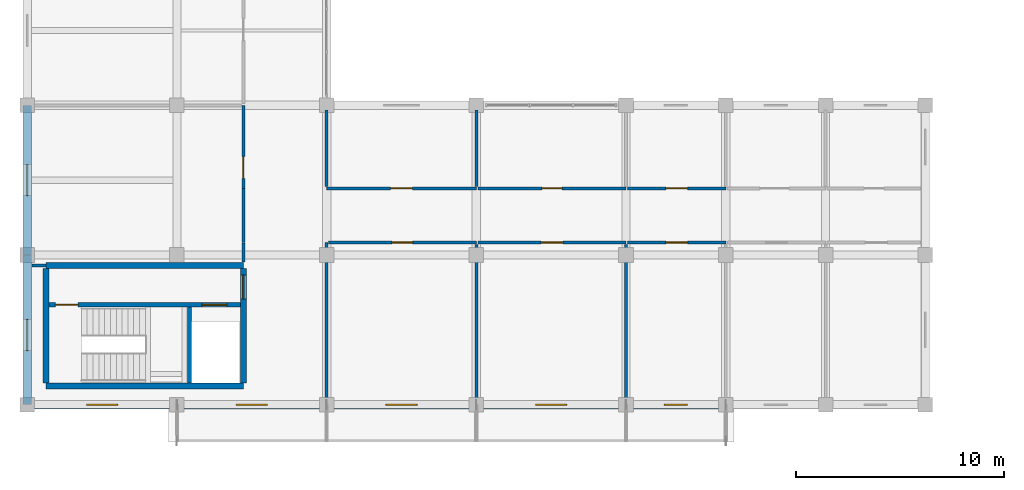
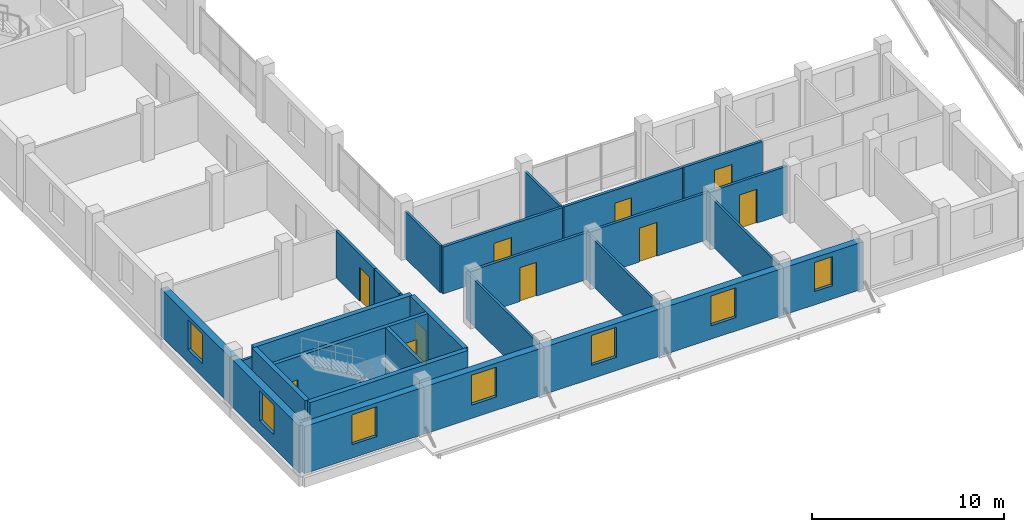
# One storey, part 106 of 128: 28 walls, 10 doors, 7 windows, 17 openings.
"""IFC4 building model written with IfcOpenShell, lengths in metres."""

from ifc_helpers import new_model, si_unit, direction, frame, frame_2d, origin, origin_with_axes, place, context, subcontext, project, spatial, rectangle, extrude, material, layer, layer_set, type_object, element, fill, save


model = new_model("IFC4")

# Units and contexts
model_context = context("Model", 3, precision=1e-05, world=origin(), true_north=direction((0.0, 1.0)))
body_context = subcontext(model_context, "Body", "Model", "MODEL_VIEW")
ifc_project = project(units=[si_unit("LENGTHUNIT", "METRE"), si_unit("AREAUNIT", "SQUARE_METRE"), si_unit("VOLUMEUNIT", "CUBIC_METRE"), si_unit("PLANEANGLEUNIT", "RADIAN"), si_unit("MASSUNIT", "GRAM", prefix="KILO")], contexts=[model_context])

# Site, building, storey
site_placement = place(None, origin())
site = spatial("IfcSite", under=ifc_project, at=site_placement, CompositionType="ELEMENT")
building_placement = place(site_placement, origin())
building = spatial("IfcBuilding", under=site, at=building_placement, Name="Zornivar Specialist Clinic", CompositionType="ELEMENT")
storey_placement = place(building_placement, frame((0.0, 0.0, 4.5)))
storey = spatial("IfcBuildingStorey", under=building, at=storey_placement, Name="L01", CompositionType="ELEMENT", Elevation=4.5)

# Wall, opening, window
ifc_material_1 = material(Name="Masonry Vratsa Limestone Ashlar Cavity Wall", Category="masonry")
ifc_layer_1 = layer(ifc_material_1, 0.419921875)
ifc_layer_set_1 = layer_set([ifc_layer_1], Name="Masonry Vratsa Limestone Ashlar Cavity Wall")
wall_type_1 = type_object("IfcWallType", Name="EW-LIMESTONE-420", PredefinedType="SOLIDWALL", material=ifc_layer_set_1)
wall_1_placement = place(storey_placement, origin_with_axes())
wall_1 = element("IfcWall", 1, at=wall_1_placement, inside=storey, type_object=wall_type_1, Name="ew:V2:L01:00", PredefinedType="SOLIDWALL", context=body_context, shape_type="SweptSolid", body=[
    extrude(rectangle(XDim=7.199951171875, YDim=0.419921875, at=frame_2d((3.60009765625, 0.0))), origin(), (0.0, 0.0, 1.0), 3.0),
])
opening_1_placement = place(wall_1_placement, frame((2.85009765625, 0.0, 0.85009765625)))
opening_1 = element("IfcOpeningElement", 2, at=opening_1_placement, cuts=wall_1, Name="Opening W-05", PredefinedType="OPENING", context=body_context, shape_type="SweptSolid", body=[
    extrude(rectangle(XDim=1.5, YDim=1.89990234375, at=frame_2d((0.75, 0.949951171875))), frame((0.0, 0.219970703125, 0.0), z_axis=(0.0, -1.0, 0.0), x_axis=(1.0, 0.0, 0.0)), (0.0, 0.0, 1.0), 0.43994140625),
])
ifc_material_2 = material(Name="Triple-Glazed Aluminium-Timber Window Glass", Category="wood")
window_type_1 = type_object("IfcWindowType", Name="WIN-OUTP-STREET-1500x1900", PartitioningType="SINGLE_PANEL", PredefinedType="WINDOW", material=ifc_material_2)
window_1_placement = place(opening_1_placement, origin())
window_1 = element("IfcWindow", 3, at=window_1_placement, inside=storey, type_object=window_type_1, Name="win:V2:L01:00", OverallHeight=1.89990234375, OverallWidth=1.5, PartitioningType="SINGLE_PANEL", PredefinedType="WINDOW", context=body_context, shape_type="SweptSolid", body=[
    extrude(rectangle(XDim=1.5, YDim=1.89990234375, at=frame_2d((0.75, 0.949951171875))), frame((0.0, 0.030029296875, 0.0), z_axis=(0.0, -1.0, 0.0), x_axis=(1.0, 0.0, 0.0)), (0.0, 0.0, 1.0), 0.06005859375),
])
fill(opening_1, window_1)

wall_2_placement = place(storey_placement, frame((7.199951171875, 0.0, 0.0), z_axis=(0.0, 0.0, 1.0), x_axis=(1.0, 0.0, 0.0)))
wall_2 = element("IfcWall", 4, at=wall_2_placement, inside=storey, type_object=wall_type_1, Name="ew:V2:L01:01", PredefinedType="SOLIDWALL", context=body_context, shape_type="SweptSolid", body=[
    extrude(rectangle(XDim=7.199951171875, YDim=0.419921875, at=frame_2d((3.60009765625, 0.0))), origin(), (0.0, 0.0, 1.0), 3.0),
])
opening_2_placement = place(wall_2_placement, frame((2.85009765625, 0.0, 0.85009765625)))
opening_2 = element("IfcOpeningElement", 5, at=opening_2_placement, cuts=wall_2, Name="Opening W-05", PredefinedType="OPENING", context=body_context, shape_type="SweptSolid", body=[
    extrude(rectangle(XDim=1.5, YDim=1.89990234375, at=frame_2d((0.75, 0.949951171875))), frame((0.0, 0.219970703125, 0.0), z_axis=(0.0, -1.0, 0.0), x_axis=(1.0, 0.0, 0.0)), (0.0, 0.0, 1.0), 0.43994140625),
])
window_2_placement = place(opening_2_placement, origin())
window_2 = element("IfcWindow", 6, at=window_2_placement, inside=storey, type_object=window_type_1, Name="win:V2:L01:01", OverallHeight=1.89990234375, OverallWidth=1.5, PartitioningType="SINGLE_PANEL", PredefinedType="WINDOW", context=body_context, shape_type="SweptSolid", body=[
    extrude(rectangle(XDim=1.5, YDim=1.89990234375, at=frame_2d((0.75, 0.949951171875))), frame((0.0, 0.030029296875, 0.0), z_axis=(0.0, -1.0, 0.0), x_axis=(1.0, 0.0, 0.0)), (0.0, 0.0, 1.0), 0.06005859375),
])
fill(opening_2, window_2)

wall_3_placement = place(storey_placement, frame((14.39990234375, 0.0, 0.0), z_axis=(0.0, 0.0, 1.0), x_axis=(1.0, 0.0, 0.0)))
wall_3 = element("IfcWall", 7, at=wall_3_placement, inside=storey, type_object=wall_type_1, Name="ew:V2:L01:02", PredefinedType="SOLIDWALL", context=body_context, shape_type="SweptSolid", body=[
    extrude(rectangle(XDim=7.2001953125, YDim=0.419921875, at=frame_2d((3.60009765625, 0.0))), origin(), (0.0, 0.0, 1.0), 3.0),
])
opening_3_placement = place(wall_3_placement, frame((2.85009765625, 0.0, 0.85009765625)))
opening_3 = element("IfcOpeningElement", 8, at=opening_3_placement, cuts=wall_3, Name="Opening W-05", PredefinedType="OPENING", context=body_context, shape_type="SweptSolid", body=[
    extrude(rectangle(XDim=1.5, YDim=1.89990234375, at=frame_2d((0.75, 0.949951171875))), frame((0.0, 0.219970703125, 0.0), z_axis=(0.0, -1.0, 0.0), x_axis=(1.0, 0.0, 0.0)), (0.0, 0.0, 1.0), 0.43994140625),
])
window_3_placement = place(opening_3_placement, origin())
window_3 = element("IfcWindow", 9, at=window_3_placement, inside=storey, type_object=window_type_1, Name="win:V2:L01:02", OverallHeight=1.89990234375, OverallWidth=1.5, PartitioningType="SINGLE_PANEL", PredefinedType="WINDOW", context=body_context, shape_type="SweptSolid", body=[
    extrude(rectangle(XDim=1.5, YDim=1.89990234375, at=frame_2d((0.75, 0.949951171875))), frame((0.0, 0.030029296875, 0.0), z_axis=(0.0, -1.0, 0.0), x_axis=(1.0, 0.0, 0.0)), (0.0, 0.0, 1.0), 0.06005859375),
])
fill(opening_3, window_3)

wall_4_placement = place(storey_placement, frame((21.60009765625, 0.0, 0.0), z_axis=(0.0, 0.0, 1.0), x_axis=(1.0, 0.0, 0.0)))
wall_4 = element("IfcWall", 10, at=wall_4_placement, inside=storey, type_object=wall_type_1, Name="ew:V2:L01:03", PredefinedType="SOLIDWALL", context=body_context, shape_type="SweptSolid", body=[
    extrude(rectangle(XDim=7.199951171875, YDim=0.419921875, at=frame_2d((3.60009765625, 0.0))), origin(), (0.0, 0.0, 1.0), 3.0),
])
opening_4_placement = place(wall_4_placement, frame((2.85009765625, 0.0, 0.85009765625)))
opening_4 = element("IfcOpeningElement", 11, at=opening_4_placement, cuts=wall_4, Name="Opening W-05", PredefinedType="OPENING", context=body_context, shape_type="SweptSolid", body=[
    extrude(rectangle(XDim=1.5, YDim=1.89990234375, at=frame_2d((0.75, 0.949951171875))), frame((0.0, 0.219970703125, 0.0), z_axis=(0.0, -1.0, 0.0), x_axis=(1.0, 0.0, 0.0)), (0.0, 0.0, 1.0), 0.43994140625),
])
window_4_placement = place(opening_4_placement, origin())
window_4 = element("IfcWindow", 12, at=window_4_placement, inside=storey, type_object=window_type_1, Name="win:V2:L01:03", OverallHeight=1.89990234375, OverallWidth=1.5, PartitioningType="SINGLE_PANEL", PredefinedType="WINDOW", context=body_context, shape_type="SweptSolid", body=[
    extrude(rectangle(XDim=1.5, YDim=1.89990234375, at=frame_2d((0.75, 0.949951171875))), frame((0.0, 0.030029296875, 0.0), z_axis=(0.0, -1.0, 0.0), x_axis=(1.0, 0.0, 0.0)), (0.0, 0.0, 1.0), 0.06005859375),
])
fill(opening_4, window_4)

wall_5_placement = place(storey_placement, frame((28.800048828125, 0.0, 0.0), z_axis=(0.0, 0.0, 1.0), x_axis=(1.0, 0.0, 0.0)))
wall_5 = element("IfcWall", 13, at=wall_5_placement, inside=storey, type_object=wall_type_1, Name="ew:V2:L01:04", PredefinedType="SOLIDWALL", context=body_context, shape_type="SweptSolid", body=[
    extrude(rectangle(XDim=4.800048828125, YDim=0.419921875, at=frame_2d((2.39990234375, 0.0))), origin(), (0.0, 0.0, 1.0), 3.0),
])
opening_5_placement = place(wall_5_placement, frame((1.85009765625, 0.0, 0.85009765625)))
opening_5 = element("IfcOpeningElement", 14, at=opening_5_placement, cuts=wall_5, Name="Opening W-07", PredefinedType="OPENING", context=body_context, shape_type="SweptSolid", body=[
    extrude(rectangle(XDim=1.10009765625, YDim=1.85009765625, at=frame_2d((0.550048828125, 0.925048828125))), frame((0.0, 0.219970703125, 0.0), z_axis=(0.0, -1.0, 0.0), x_axis=(1.0, 0.0, 0.0)), (0.0, 0.0, 1.0), 0.43994140625),
])
ifc_material_3 = material(Name="Triple-Glazed Aluminium-Timber Window Glass", Category="wood")
window_type_2 = type_object("IfcWindowType", Name="WIN-OUTP-PIER-1100x1850", PartitioningType="SINGLE_PANEL", PredefinedType="WINDOW", material=ifc_material_3)
window_5_placement = place(opening_5_placement, origin())
window_5 = element("IfcWindow", 15, at=window_5_placement, inside=storey, type_object=window_type_2, Name="win:V2:L01:04", OverallHeight=1.85009765625, OverallWidth=1.10009765625, PartitioningType="SINGLE_PANEL", PredefinedType="WINDOW", context=body_context, shape_type="SweptSolid", body=[
    extrude(rectangle(XDim=1.10009765625, YDim=1.85009765625, at=frame_2d((0.550048828125, 0.925048828125))), frame((0.0, 0.030029296875, 0.0), z_axis=(0.0, -1.0, 0.0), x_axis=(1.0, 0.0, 0.0)), (0.0, 0.0, 1.0), 0.06005859375),
])
fill(opening_5, window_5)

wall_6_placement = place(storey_placement, frame((0.0, 14.39990234375, 0.0), z_axis=(0.0, 0.0, 1.0), x_axis=(0.0, -1.0, 0.0)))
wall_6 = element("IfcWall", 16, at=wall_6_placement, inside=storey, type_object=wall_type_1, Name="ew:V2:L01:30", PredefinedType="SOLIDWALL", context=body_context, shape_type="SweptSolid", body=[
    extrude(rectangle(XDim=7.199951171875, YDim=0.419921875, at=frame_2d((3.60009765625, 0.0))), origin(), (0.0, 0.0, 1.0), 3.0),
])
opening_6_placement = place(wall_6_placement, frame((2.85009765625, 0.0, 0.85009765625)))
opening_6 = element("IfcOpeningElement", 17, at=opening_6_placement, cuts=wall_6, Name="Opening W-05", PredefinedType="OPENING", context=body_context, shape_type="SweptSolid", body=[
    extrude(rectangle(XDim=1.5, YDim=1.89990234375, at=frame_2d((0.75, 0.949951171875))), frame((0.0, 0.219970703125, 0.0), z_axis=(0.0, -1.0, 0.0), x_axis=(1.0, 0.0, 0.0)), (0.0, 0.0, 1.0), 0.43994140625),
])
window_6_placement = place(opening_6_placement, origin())
window_6 = element("IfcWindow", 18, at=window_6_placement, inside=storey, type_object=window_type_1, Name="win:V2:L01:30", OverallHeight=1.89990234375, OverallWidth=1.5, PartitioningType="SINGLE_PANEL", PredefinedType="WINDOW", context=body_context, shape_type="SweptSolid", body=[
    extrude(rectangle(XDim=1.5, YDim=1.89990234375, at=frame_2d((0.75, 0.949951171875))), frame((0.0, 0.030029296875, 0.0), z_axis=(0.0, -1.0, 0.0), x_axis=(1.0, 0.0, 0.0)), (0.0, 0.0, 1.0), 0.06005859375),
])
fill(opening_6, window_6)

wall_7_placement = place(storey_placement, frame((0.0, 7.199951171875, 0.0), z_axis=(0.0, 0.0, 1.0), x_axis=(0.0, -1.0, 0.0)))
wall_7 = element("IfcWall", 19, at=wall_7_placement, inside=storey, type_object=wall_type_1, Name="ew:V2:L01:31", PredefinedType="SOLIDWALL", context=body_context, shape_type="SweptSolid", body=[
    extrude(rectangle(XDim=7.199951171875, YDim=0.419921875, at=frame_2d((3.60009765625, 0.0))), origin(), (0.0, 0.0, 1.0), 3.0),
])
opening_7_placement = place(wall_7_placement, frame((3.10009765625, 0.0, 0.85009765625)))
opening_7 = element("IfcOpeningElement", 20, at=opening_7_placement, cuts=wall_7, Name="Opening W-05", PredefinedType="OPENING", context=body_context, shape_type="SweptSolid", body=[
    extrude(rectangle(XDim=1.5, YDim=1.89990234375, at=frame_2d((0.75, 0.949951171875))), frame((0.0, 0.219970703125, 0.0), z_axis=(0.0, -1.0, 0.0), x_axis=(1.0, 0.0, 0.0)), (0.0, 0.0, 1.0), 0.43994140625),
])
window_7_placement = place(opening_7_placement, origin())
window_7 = element("IfcWindow", 21, at=window_7_placement, inside=storey, type_object=window_type_1, Name="win:V2:L01:31", OverallHeight=1.89990234375, OverallWidth=1.5, PartitioningType="SINGLE_PANEL", PredefinedType="WINDOW", context=body_context, shape_type="SweptSolid", body=[
    extrude(rectangle(XDim=1.5, YDim=1.89990234375, at=frame_2d((0.75, 0.949951171875))), frame((0.0, 0.030029296875, 0.0), z_axis=(0.0, -1.0, 0.0), x_axis=(1.0, 0.0, 0.0)), (0.0, 0.0, 1.0), 0.06005859375),
])
fill(opening_7, window_7)

# Walls
ifc_material_4 = material(Name="Acoustic Clinical Stud Partition")
ifc_layer_2 = layer(ifc_material_4, 0.139892578125)
ifc_layer_set_2 = layer_set([ifc_layer_2], Name="Acoustic Clinical Stud Partition")
wall_type_2 = type_object("IfcWallType", Name="IW-CLIN-140", PredefinedType="PARTITIONING", material=ifc_layer_set_2)
wall_8_placement = place(storey_placement, frame((0.89990234375, 6.699951171875, 0.0), z_axis=(0.0, 0.0, 1.0), x_axis=(-1.0, 0.0, 0.0)))
element("IfcWall", 22, at=wall_8_placement, inside=storey, type_object=wall_type_2, Name="iw:L01:052", PredefinedType="PARTITIONING", context=body_context, shape_type="SweptSolid", body=[
    extrude(rectangle(XDim=0.6748046875, YDim=0.139892578125, at=frame_2d((0.33740234375, 0.0))), origin(), (0.0, 0.0, 1.0), 2.97998046875),
])
wall_9_placement = place(storey_placement, frame((14.39990234375, 0.22509765625, 0.0), z_axis=(0.0, 0.0, 1.0), x_axis=(0.0, 1.0, 0.0)))
element("IfcWall", 23, at=wall_9_placement, inside=storey, type_object=wall_type_2, Name="iw:L01:071", PredefinedType="PARTITIONING", context=body_context, shape_type="SweptSolid", body=[
    extrude(rectangle(XDim=7.574951171875, YDim=0.139892578125, at=frame_2d((3.78759765625, 0.0))), origin(), (0.0, 0.0, 1.0), 2.97998046875),
])
wall_10_placement = place(storey_placement, frame((21.60009765625, 7.7060546875, 0.0), z_axis=(0.0, 0.0, 1.0), x_axis=(0.0, -1.0, 0.0)))
element("IfcWall", 24, at=wall_10_placement, inside=storey, type_object=wall_type_2, Name="iw:L01:073", PredefinedType="PARTITIONING", context=body_context, shape_type="SweptSolid", body=[
    extrude(rectangle(XDim=7.48095703125, YDim=0.139892578125, at=frame_2d((3.740478515625, 0.0))), origin(), (0.0, 0.0, 1.0), 2.97998046875),
])
for number, where, z_axis, x_axis, name in (
    (25, (14.39990234375, 10.493896484375, 0.0), (0.0, 0.0, 1.0), (0.0, 1.0, 0.0), "iw:L01:075"),
    (26, (21.60009765625, 14.175048828125, 0.0), (0.0, 0.0, 1.0), (0.0, -1.0, 0.0), "iw:L01:076"),
):
    element("IfcWall", number, at=place(storey_placement, frame(where, z_axis=z_axis, x_axis=x_axis)), inside=storey, type_object=wall_type_2, Name=name, PredefinedType="PARTITIONING", context=body_context, shape_type="SweptSolid", body=[
        extrude(rectangle(XDim=3.68115234375, YDim=0.139892578125, at=frame_2d((1.840576171875, 0.0))), origin(), (0.0, 0.0, 1.0), 2.97998046875),
    ])
wall_11_placement = place(storey_placement, frame((28.800048828125, 7.7060546875, 0.0), z_axis=(0.0, 0.0, 1.0), x_axis=(0.0, -1.0, 0.0)))
element("IfcWall", 27, at=wall_11_placement, inside=storey, type_object=wall_type_2, Name="iw:L01:078", PredefinedType="PARTITIONING", context=body_context, shape_type="SweptSolid", body=[
    extrude(rectangle(XDim=7.48095703125, YDim=0.139892578125, at=frame_2d((3.740478515625, 0.0))), origin(), (0.0, 0.0, 1.0), 2.97998046875),
])

# Wall, opening, door
ifc_material_5 = material(Name="Gypsum Fire-Rated Double Stud Partition")
ifc_layer_3 = layer(ifc_material_5, 0.159912109375)
ifc_layer_set_3 = layer_set([ifc_layer_3], Name="Gypsum Fire-Rated Double Stud Partition")
wall_type_3 = type_object("IfcWallType", Name="IW-CORR-EI60-160", PredefinedType="PARTITIONING", material=ifc_layer_set_3)
wall_12_placement = place(storey_placement, frame((10.39990234375, 14.39990234375, 0.0), z_axis=(0.0, 0.0, 1.0), x_axis=(0.0, -1.0, 0.0)))
wall_12 = element("IfcWall", 28, at=wall_12_placement, inside=storey, type_object=wall_type_3, Name="iw:L01:049", PredefinedType="PARTITIONING", context=body_context, shape_type="SweptSolid", body=[
    extrude(rectangle(XDim=4.0, YDim=0.159912109375, at=frame_2d((2.0, 0.0))), origin(), (0.0, 0.0, 1.0), 2.97998046875),
])
opening_8_placement = place(wall_12_placement, frame((2.469970703125, 0.0, 0.0)))
opening_8 = element("IfcOpeningElement", 29, at=opening_8_placement, cuts=wall_12, Name="Opening ID-03", PredefinedType="OPENING", context=body_context, shape_type="SweptSolid", body=[
    extrude(rectangle(XDim=1.050048828125, YDim=2.14990234375, at=frame_2d((0.52490234375, 1.074951171875))), frame((0.0, 0.08984375, 0.0), z_axis=(0.0, -1.0, 0.0), x_axis=(1.0, 0.0, 0.0)), (0.0, 0.0, 1.0), 0.179931640625),
])
ifc_material_6 = material(Name="Solid-Core Hygienic Laminate Timber Door", Category="wood")
door_type_1 = type_object("IfcDoorType", Name="ID-CONS-1050x2150", OperationType="NOTDEFINED", PredefinedType="DOOR", material=ifc_material_6)
door_1_placement = place(opening_8_placement, origin())
door_1 = element("IfcDoor", 30, at=door_1_placement, inside=storey, type_object=door_type_1, Name="door:space:V2:L01:rm:00", OperationType="SINGLE_SWING_LEFT", OverallHeight=2.14990234375, OverallWidth=1.050048828125, PredefinedType="DOOR", context=body_context, shape_type="SweptSolid", body=[
    extrude(rectangle(XDim=1.050048828125, YDim=2.14990234375, at=frame_2d((0.52490234375, 1.074951171875))), frame((0.0, 0.02490234375, 0.0), z_axis=(0.0, -1.0, 0.0), x_axis=(1.0, 0.0, 0.0)), (0.0, 0.0, 1.0), 0.050048828125),
])
fill(opening_8, door_1)

# Walls
wall_13_placement = place(storey_placement, frame((10.39990234375, 10.387939453125, 0.0), z_axis=(0.0, 0.0, 1.0), x_axis=(0.0, -1.0, 0.0)))
element("IfcWall", 31, at=wall_13_placement, inside=storey, type_object=wall_type_3, Name="iw:L01:050", PredefinedType="PARTITIONING", context=body_context, shape_type="SweptSolid", body=[
    extrude(rectangle(XDim=2.587890625, YDim=0.159912109375, at=frame_2d((1.2939453125, 0.0))), origin(), (0.0, 0.0, 1.0), 2.97998046875),
])
wall_14_placement = place(storey_placement, frame((10.39990234375, 7.7880859375, 0.0), z_axis=(0.0, 0.0, 1.0), x_axis=(0.0, -1.0, 0.0)))
element("IfcWall", 32, at=wall_14_placement, inside=storey, type_object=wall_type_3, Name="iw:L01:051", PredefinedType="PARTITIONING", context=body_context, shape_type="SweptSolid", body=[
    extrude(rectangle(XDim=0.93310546875, YDim=0.159912109375, at=frame_2d((0.466552734375, 0.0))), origin(), (0.0, 0.0, 1.0), 2.97998046875),
])

# Wall, opening, door
wall_15_placement = place(storey_placement, frame((14.48388671875, 7.800048828125, 0.0), z_axis=(0.0, 0.0, 1.0), x_axis=(1.0, 0.0, 0.0)))
wall_15 = element("IfcWall", 33, at=wall_15_placement, inside=storey, type_object=wall_type_3, Name="iw:L01:072", PredefinedType="PARTITIONING", context=body_context, shape_type="SweptSolid", body=[
    extrude(rectangle(XDim=7.1162109375, YDim=0.159912109375, at=frame_2d((3.55810546875, 0.0))), origin(), (0.0, 0.0, 1.0), 2.97998046875),
])
opening_9_placement = place(wall_15_placement, frame((3.05810546875, 0.0, 0.0)))
opening_9 = element("IfcOpeningElement", 34, at=opening_9_placement, cuts=wall_15, Name="Opening ID-04", PredefinedType="OPENING", context=body_context, shape_type="SweptSolid", body=[
    extrude(rectangle(XDim=1.0, YDim=2.14990234375, at=frame_2d((0.5, 1.074951171875))), frame((0.0, 0.08984375, 0.0), z_axis=(0.0, -1.0, 0.0), x_axis=(1.0, 0.0, 0.0)), (0.0, 0.0, 1.0), 0.179931640625),
])
ifc_material_7 = material(Name="Solid-Core Hygienic Laminate Timber Door", Category="wood")
door_type_2 = type_object("IfcDoorType", Name="ID-EXAM-1000x2150", OperationType="NOTDEFINED", PredefinedType="DOOR", material=ifc_material_7)
door_2_placement = place(opening_9_placement, origin())
door_2 = element("IfcDoor", 35, at=door_2_placement, inside=storey, type_object=door_type_2, Name="door:space:V2:L01:rm:09", OperationType="SINGLE_SWING_RIGHT", OverallHeight=2.14990234375, OverallWidth=1.0, PredefinedType="DOOR", context=body_context, shape_type="SweptSolid", body=[
    extrude(rectangle(XDim=1.0, YDim=2.14990234375, at=frame_2d((0.5, 1.074951171875))), frame((0.0, 0.02490234375, 0.0), z_axis=(0.0, -1.0, 0.0), x_axis=(1.0, 0.0, 0.0)), (0.0, 0.0, 1.0), 0.050048828125),
])
fill(opening_9, door_2)

wall_16_placement = place(storey_placement, frame((21.60009765625, 10.39990234375, 0.0), z_axis=(0.0, 0.0, 1.0), x_axis=(-1.0, 0.0, 0.0)))
wall_16 = element("IfcWall", 36, at=wall_16_placement, inside=storey, type_object=wall_type_3, Name="iw:L01:074", PredefinedType="PARTITIONING", context=body_context, shape_type="SweptSolid", body=[
    extrude(rectangle(XDim=7.2001953125, YDim=0.159912109375, at=frame_2d((3.60009765625, 0.0))), origin(), (0.0, 0.0, 1.0), 2.97998046875),
])
opening_10_placement = place(wall_16_placement, frame((3.074951171875, 0.0, 0.0)))
opening_10 = element("IfcOpeningElement", 37, at=opening_10_placement, cuts=wall_16, Name="Opening ID-03", PredefinedType="OPENING", context=body_context, shape_type="SweptSolid", body=[
    extrude(rectangle(XDim=1.050048828125, YDim=2.14990234375, at=frame_2d((0.52490234375, 1.074951171875))), frame((0.0, 0.08984375, 0.0), z_axis=(0.0, -1.0, 0.0), x_axis=(1.0, 0.0, 0.0)), (0.0, 0.0, 1.0), 0.179931640625),
])
door_3_placement = place(opening_10_placement, origin())
door_3 = element("IfcDoor", 38, at=door_3_placement, inside=storey, type_object=door_type_1, Name="door:space:V2:L01:rm:10", OperationType="SINGLE_SWING_LEFT", OverallHeight=2.14990234375, OverallWidth=1.050048828125, PredefinedType="DOOR", context=body_context, shape_type="SweptSolid", body=[
    extrude(rectangle(XDim=1.050048828125, YDim=2.14990234375, at=frame_2d((0.52490234375, 1.074951171875))), frame((0.0, 0.02490234375, 0.0), z_axis=(0.0, -1.0, 0.0), x_axis=(1.0, 0.0, 0.0)), (0.0, 0.0, 1.0), 0.050048828125),
])
fill(opening_10, door_3)

wall_17_placement = place(storey_placement, frame((21.68408203125, 7.800048828125, 0.0), z_axis=(0.0, 0.0, 1.0), x_axis=(1.0, 0.0, 0.0)))
wall_17 = element("IfcWall", 39, at=wall_17_placement, inside=storey, type_object=wall_type_3, Name="iw:L01:077", PredefinedType="PARTITIONING", context=body_context, shape_type="SweptSolid", body=[
    extrude(rectangle(XDim=7.115966796875, YDim=0.159912109375, at=frame_2d((3.55810546875, 0.0))), origin(), (0.0, 0.0, 1.0), 2.97998046875),
])
opening_11_placement = place(wall_17_placement, frame((3.032958984375, 0.0, 0.0)))
opening_11 = element("IfcOpeningElement", 40, at=opening_11_placement, cuts=wall_17, Name="Opening ID-03", PredefinedType="OPENING", context=body_context, shape_type="SweptSolid", body=[
    extrude(rectangle(XDim=1.050048828125, YDim=2.14990234375, at=frame_2d((0.52490234375, 1.074951171875))), frame((0.0, 0.08984375, 0.0), z_axis=(0.0, -1.0, 0.0), x_axis=(1.0, 0.0, 0.0)), (0.0, 0.0, 1.0), 0.179931640625),
])
door_4_placement = place(opening_11_placement, origin())
door_4 = element("IfcDoor", 41, at=door_4_placement, inside=storey, type_object=door_type_1, Name="door:space:V2:L01:rm:11", OperationType="SINGLE_SWING_RIGHT", OverallHeight=2.14990234375, OverallWidth=1.050048828125, PredefinedType="DOOR", context=body_context, shape_type="SweptSolid", body=[
    extrude(rectangle(XDim=1.050048828125, YDim=2.14990234375, at=frame_2d((0.52490234375, 1.074951171875))), frame((0.0, 0.02490234375, 0.0), z_axis=(0.0, -1.0, 0.0), x_axis=(1.0, 0.0, 0.0)), (0.0, 0.0, 1.0), 0.050048828125),
])
fill(opening_11, door_4)

wall_18_placement = place(storey_placement, frame((28.800048828125, 10.39990234375, 0.0), z_axis=(0.0, 0.0, 1.0), x_axis=(-1.0, 0.0, 0.0)))
wall_18 = element("IfcWall", 42, at=wall_18_placement, inside=storey, type_object=wall_type_3, Name="iw:L01:079", PredefinedType="PARTITIONING", context=body_context, shape_type="SweptSolid", body=[
    extrude(rectangle(XDim=7.115966796875, YDim=0.159912109375, at=frame_2d((3.55810546875, 0.0))), origin(), (0.0, 0.0, 1.0), 2.97998046875),
])
opening_12_placement = place(wall_18_placement, frame((3.068115234375, 0.0, 0.0)))
opening_12 = element("IfcOpeningElement", 43, at=opening_12_placement, cuts=wall_18, Name="Opening ID-09", PredefinedType="OPENING", context=body_context, shape_type="SweptSolid", body=[
    extrude(rectangle(XDim=0.97998046875, YDim=2.14990234375, at=frame_2d((0.489990234375, 1.074951171875))), frame((0.0, 0.08984375, 0.0), z_axis=(0.0, -1.0, 0.0), x_axis=(1.0, 0.0, 0.0)), (0.0, 0.0, 1.0), 0.179931640625),
])
ifc_material_8 = material(Name="Solid-Core Hygienic Laminate Timber Door", Category="wood")
door_type_3 = type_object("IfcDoorType", Name="ID-STAFF-0980x2150", OperationType="NOTDEFINED", PredefinedType="DOOR", material=ifc_material_8)
door_5_placement = place(opening_12_placement, origin())
door_5 = element("IfcDoor", 44, at=door_5_placement, inside=storey, type_object=door_type_3, Name="door:space:V2:L01:rm:12", OperationType="SINGLE_SWING_LEFT", OverallHeight=2.14990234375, OverallWidth=0.97998046875, PredefinedType="DOOR", context=body_context, shape_type="SweptSolid", body=[
    extrude(rectangle(XDim=0.97998046875, YDim=2.14990234375, at=frame_2d((0.489990234375, 1.074951171875))), frame((0.0, 0.02490234375, 0.0), z_axis=(0.0, -1.0, 0.0), x_axis=(1.0, 0.0, 0.0)), (0.0, 0.0, 1.0), 0.050048828125),
])
fill(opening_12, door_5)

wall_19_placement = place(storey_placement, frame((28.884033203125, 7.800048828125, 0.0), z_axis=(0.0, 0.0, 1.0), x_axis=(1.0, 0.0, 0.0)))
wall_19 = element("IfcWall", 45, at=wall_19_placement, inside=storey, type_object=wall_type_3, Name="iw:L01:081", PredefinedType="PARTITIONING", context=body_context, shape_type="SweptSolid", body=[
    extrude(rectangle(XDim=4.716064453125, YDim=0.159912109375, at=frame_2d((2.35791015625, 0.0))), origin(), (0.0, 0.0, 1.0), 2.97998046875),
])
opening_13_placement = place(wall_19_placement, frame((1.8330078125, 0.0, 0.0)))
opening_13 = element("IfcOpeningElement", 46, at=opening_13_placement, cuts=wall_19, Name="Opening ID-03", PredefinedType="OPENING", context=body_context, shape_type="SweptSolid", body=[
    extrude(rectangle(XDim=1.050048828125, YDim=2.14990234375, at=frame_2d((0.52490234375, 1.074951171875))), frame((0.0, 0.08984375, 0.0), z_axis=(0.0, -1.0, 0.0), x_axis=(1.0, 0.0, 0.0)), (0.0, 0.0, 1.0), 0.179931640625),
])
door_6_placement = place(opening_13_placement, origin())
door_6 = element("IfcDoor", 47, at=door_6_placement, inside=storey, type_object=door_type_1, Name="door:space:V2:L01:rm:13", OperationType="SINGLE_SWING_RIGHT", OverallHeight=2.14990234375, OverallWidth=1.050048828125, PredefinedType="DOOR", context=body_context, shape_type="SweptSolid", body=[
    extrude(rectangle(XDim=1.050048828125, YDim=2.14990234375, at=frame_2d((0.52490234375, 1.074951171875))), frame((0.0, 0.02490234375, 0.0), z_axis=(0.0, -1.0, 0.0), x_axis=(1.0, 0.0, 0.0)), (0.0, 0.0, 1.0), 0.050048828125),
])
fill(opening_13, door_6)

wall_20_placement = place(storey_placement, frame((33.60009765625, 10.39990234375, 0.0), z_axis=(0.0, 0.0, 1.0), x_axis=(-1.0, 0.0, 0.0)))
wall_20 = element("IfcWall", 48, at=wall_20_placement, inside=storey, type_object=wall_type_3, Name="iw:L01:083", PredefinedType="PARTITIONING", context=body_context, shape_type="SweptSolid", body=[
    extrude(rectangle(XDim=4.716064453125, YDim=0.159912109375, at=frame_2d((2.35791015625, 0.0))), origin(), (0.0, 0.0, 1.0), 2.97998046875),
])
opening_14_placement = place(wall_20_placement, frame((1.8330078125, 0.0, 0.0)))
opening_14 = element("IfcOpeningElement", 49, at=opening_14_placement, cuts=wall_20, Name="Opening ID-03", PredefinedType="OPENING", context=body_context, shape_type="SweptSolid", body=[
    extrude(rectangle(XDim=1.050048828125, YDim=2.14990234375, at=frame_2d((0.52490234375, 1.074951171875))), frame((0.0, 0.08984375, 0.0), z_axis=(0.0, -1.0, 0.0), x_axis=(1.0, 0.0, 0.0)), (0.0, 0.0, 1.0), 0.179931640625),
])
door_7_placement = place(opening_14_placement, origin())
door_7 = element("IfcDoor", 50, at=door_7_placement, inside=storey, type_object=door_type_1, Name="door:space:V2:L01:rm:14", OperationType="SINGLE_SWING_LEFT", OverallHeight=2.14990234375, OverallWidth=1.050048828125, PredefinedType="DOOR", context=body_context, shape_type="SweptSolid", body=[
    extrude(rectangle(XDim=1.050048828125, YDim=2.14990234375, at=frame_2d((0.52490234375, 1.074951171875))), frame((0.0, 0.02490234375, 0.0), z_axis=(0.0, -1.0, 0.0), x_axis=(1.0, 0.0, 0.0)), (0.0, 0.0, 1.0), 0.050048828125),
])
fill(opening_14, door_7)

# Wall
ifc_material_9 = material(Name="Concrete C35/45", Category="concrete")
ifc_layer_4 = layer(ifc_material_9, 0.280029296875)
ifc_layer_set_4 = layer_set([ifc_layer_4], Name="Concrete C35/45")
wall_type_4 = type_object("IfcWallType", Name="SW-CORE-280", PredefinedType="SHEAR", material=ifc_layer_set_4)
wall_21_placement = place(storey_placement, frame((0.89990234375, 0.89990234375, 0.0), z_axis=(0.0, 0.0, 1.0), x_axis=(1.0, 0.0, 0.0)))
element("IfcWall", 51, at=wall_21_placement, inside=storey, type_object=wall_type_4, Name="sw:C1:L01:w0", PredefinedType="SHEAR", context=body_context, shape_type="SweptSolid", body=[
    extrude(rectangle(XDim=9.5, YDim=0.280029296875, at=frame_2d((4.75, 0.0))), origin(), (0.0, 0.0, 1.0), 3.6201171875),
])

# Wall, opening, door
wall_22_placement = place(storey_placement, frame((10.39990234375, 1.0400390625, 0.0), z_axis=(0.0, 0.0, 1.0), x_axis=(0.0, 1.0, 0.0)))
wall_22 = element("IfcWall", 52, at=wall_22_placement, inside=storey, type_object=wall_type_4, Name="sw:C1:L01:w1", PredefinedType="SHEAR", context=body_context, shape_type="SweptSolid", body=[
    extrude(rectangle(XDim=5.52001953125, YDim=0.280029296875, at=frame_2d((2.760009765625, 0.0))), origin(), (0.0, 0.0, 1.0), 3.6201171875),
])
opening_15_placement = place(wall_22_placement, frame((4.050048828125, 0.0, 0.0)))
opening_15 = element("IfcOpeningElement", 53, at=opening_15_placement, cuts=wall_22, Name="Opening FD-03", PredefinedType="OPENING", context=body_context, shape_type="SweptSolid", body=[
    extrude(rectangle(XDim=1.14990234375, YDim=2.199951171875, at=frame_2d((0.574951171875, 1.10009765625))), frame((0.0, 0.14990234375, 0.0), z_axis=(0.0, -1.0, 0.0), x_axis=(1.0, 0.0, 0.0)), (0.0, 0.0, 1.0), 0.300048828125),
])
ifc_material_10 = material(Name="Solid-Core Hygienic Laminate Timber Door", Category="wood")
door_type_4 = type_object("IfcDoorType", Name="FD-LOBBY-UPPER-1150x2200", OperationType="NOTDEFINED", PredefinedType="DOOR", material=ifc_material_10)
door_8_placement = place(opening_15_placement, origin())
door_8 = element("IfcDoor", 54, at=door_8_placement, inside=storey, type_object=door_type_4, Name="door:C1:L01:lob", OperationType="SINGLE_SWING_RIGHT", OverallHeight=2.199951171875, OverallWidth=1.14990234375, PredefinedType="DOOR", context=body_context, shape_type="SweptSolid", body=[
    extrude(rectangle(XDim=1.14990234375, YDim=2.199951171875, at=frame_2d((0.574951171875, 1.10009765625))), frame((0.0, 0.02490234375, 0.0), z_axis=(0.0, -1.0, 0.0), x_axis=(1.0, 0.0, 0.0)), (0.0, 0.0, 1.0), 0.050048828125),
])
fill(opening_15, door_8)

# Walls
wall_23_placement = place(storey_placement, frame((10.39990234375, 6.699951171875, 0.0), z_axis=(0.0, 0.0, 1.0), x_axis=(-1.0, 0.0, 0.0)))
element("IfcWall", 55, at=wall_23_placement, inside=storey, type_object=wall_type_4, Name="sw:C1:L01:w2", PredefinedType="SHEAR", context=body_context, shape_type="SweptSolid", body=[
    extrude(rectangle(XDim=9.5, YDim=0.280029296875, at=frame_2d((4.75, 0.0))), origin(), (0.0, 0.0, 1.0), 3.6201171875),
])
wall_24_placement = place(storey_placement, frame((0.89990234375, 6.56005859375, 0.0), z_axis=(0.0, 0.0, 1.0), x_axis=(0.0, -1.0, 0.0)))
element("IfcWall", 56, at=wall_24_placement, inside=storey, type_object=wall_type_4, Name="sw:C1:L01:w3", PredefinedType="SHEAR", context=body_context, shape_type="SweptSolid", body=[
    extrude(rectangle(XDim=5.52001953125, YDim=0.280029296875, at=frame_2d((2.760009765625, 0.0))), origin(), (0.0, 0.0, 1.0), 3.6201171875),
])
ifc_material_11 = material(Name="Concrete C30/37", Category="concrete")
ifc_layer_5 = layer(ifc_material_11, 0.199951171875)
ifc_layer_set_5 = layer_set([ifc_layer_5], Name="Concrete C30/37")
wall_type_5 = type_object("IfcWallType", Name="SW-LIFT-200", PredefinedType="SHEAR", material=ifc_layer_set_5)
wall_25_placement = place(storey_placement, frame((7.800048828125, 1.0400390625, 0.0), z_axis=(0.0, 0.0, 1.0), x_axis=(0.0, 1.0, 0.0)))
element("IfcWall", 57, at=wall_25_placement, inside=storey, type_object=wall_type_5, Name="sw:C1:L01:sdiv", PredefinedType="SHEAR", context=body_context, shape_type="SweptSolid", body=[
    extrude(rectangle(XDim=3.659912109375, YDim=0.199951171875, at=frame_2d((1.830078125, 0.0))), origin(), (0.0, 0.0, 1.0), 3.6201171875),
])

# Wall, openings, doors
ifc_material_12 = material(Name="Concrete C30/37", Category="concrete")
ifc_layer_6 = layer(ifc_material_12, 0.219970703125)
ifc_layer_set_6 = layer_set([ifc_layer_6], Name="Concrete C30/37")
wall_type_6 = type_object("IfcWallType", Name="SW-SHAFT-220", PredefinedType="SHEAR", material=ifc_layer_set_6)
wall_26_placement = place(storey_placement, frame((1.0400390625, 4.81005859375, 0.0), z_axis=(0.0, 0.0, 1.0), x_axis=(1.0, 0.0, 0.0)))
wall_26 = element("IfcWall", 58, at=wall_26_placement, inside=storey, type_object=wall_type_6, Name="sw:C1:L01:stwall", PredefinedType="SHEAR", context=body_context, shape_type="SweptSolid", body=[
    extrude(rectangle(XDim=9.219970703125, YDim=0.219970703125, at=frame_2d((4.60986328125, 0.0))), origin(), (0.0, 0.0, 1.0), 3.6201171875),
])
opening_16_placement = place(wall_26_placement, frame((0.31005859375, 0.0, 0.0)))
opening_16 = element("IfcOpeningElement", 59, at=opening_16_placement, cuts=wall_26, Name="Opening FD-02", PredefinedType="OPENING", context=body_context, shape_type="SweptSolid", body=[
    extrude(rectangle(XDim=1.10009765625, YDim=2.14990234375, at=frame_2d((0.550048828125, 1.074951171875))), frame((0.0, 0.119873046875, 0.0), z_axis=(0.0, -1.0, 0.0), x_axis=(1.0, 0.0, 0.0)), (0.0, 0.0, 1.0), 0.239990234375),
])
opening_17_placement = place(wall_26_placement, frame((7.360107421875, 0.0, 0.0)))
opening_17 = element("IfcOpeningElement", 60, at=opening_17_placement, cuts=wall_26, Name="Opening LD-01", PredefinedType="OPENING", context=body_context, shape_type="SweptSolid", body=[
    extrude(rectangle(XDim=1.199951171875, YDim=2.199951171875, at=frame_2d((0.60009765625, 1.10009765625))), frame((0.0, 0.119873046875, 0.0), z_axis=(0.0, -1.0, 0.0), x_axis=(1.0, 0.0, 0.0)), (0.0, 0.0, 1.0), 0.239990234375),
])
ifc_material_13 = material(Name="Solid-Core Hygienic Laminate Timber Door", Category="wood")
door_type_5 = type_object("IfcDoorType", Name="FD-STAIR-1100x2150", OperationType="NOTDEFINED", PredefinedType="DOOR", material=ifc_material_13)
door_9_placement = place(opening_16_placement, origin())
door_9 = element("IfcDoor", 61, at=door_9_placement, inside=storey, type_object=door_type_5, Name="door:C1:L01:stair", OperationType="SINGLE_SWING_LEFT", OverallHeight=2.14990234375, OverallWidth=1.10009765625, PredefinedType="DOOR", context=body_context, shape_type="SweptSolid", body=[
    extrude(rectangle(XDim=1.10009765625, YDim=2.14990234375, at=frame_2d((0.550048828125, 1.074951171875))), frame((0.0, 0.02490234375, 0.0), z_axis=(0.0, -1.0, 0.0), x_axis=(1.0, 0.0, 0.0)), (0.0, 0.0, 1.0), 0.050048828125),
])
fill(opening_16, door_9)
ifc_material_14 = material(Name="Stainless Steel Lift Landing Sliding Door", Category="steel")
door_type_6 = type_object("IfcDoorType", Name="LD-LIFT-1200x2200", OperationType="NOTDEFINED", PredefinedType="DOOR", material=ifc_material_14)
door_10_placement = place(opening_17_placement, origin())
door_10 = element("IfcDoor", 62, at=door_10_placement, inside=storey, type_object=door_type_6, Name="door:C1:L01:lift", OperationType="DOUBLE_DOOR_SLIDING", OverallHeight=2.199951171875, OverallWidth=1.199951171875, PredefinedType="DOOR", context=body_context, shape_type="SweptSolid", body=[
    extrude(rectangle(XDim=1.199951171875, YDim=2.199951171875, at=frame_2d((0.60009765625, 1.10009765625))), frame((0.0, 0.02490234375, 0.0), z_axis=(0.0, -1.0, 0.0), x_axis=(1.0, 0.0, 0.0)), (0.0, 0.0, 1.0), 0.050048828125),
])
fill(opening_17, door_10)

save(model, "model.ifc")
